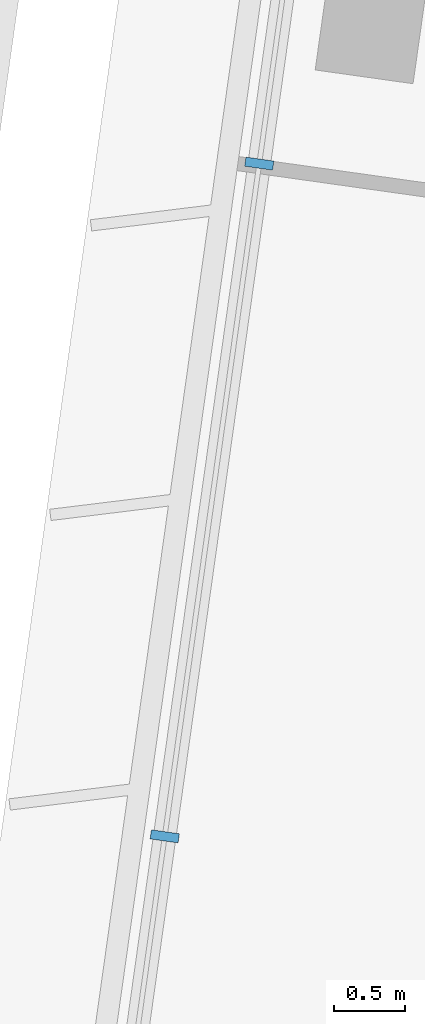
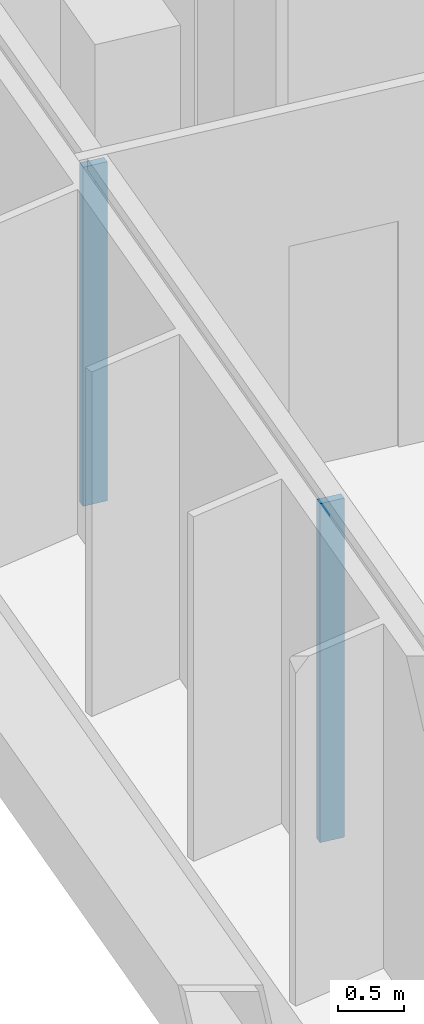
# One storey, part 4 of 46: 2 members, 1 element without a shape of its own.
"""IFC4 building model written with IfcOpenShell, lengths in metres."""

from ifc_helpers import new_model, si_unit, direction, frame, origin, origin_2d, place, context, subcontext, project, spatial, rectangle, extrude, material, material_profile, profile_set, type_object, element, aggregate, save


model = new_model("IFC4")

# Units and contexts
model_context = context("Model", 3, precision=1e-05, world=origin(), true_north=direction((0.0, 1.0)))
body_context = subcontext(model_context, "Body", "Model", "MODEL_VIEW")
ifc_project = project(units=[si_unit("LENGTHUNIT", "METRE"), si_unit("AREAUNIT", "SQUARE_METRE"), si_unit("VOLUMEUNIT", "CUBIC_METRE"), si_unit("PLANEANGLEUNIT", "RADIAN"), si_unit("MASSUNIT", "GRAM", prefix="KILO")], contexts=[model_context])

# Site, building, storey
site_placement = place(None, origin())
site = spatial("IfcSite", under=ifc_project, at=site_placement, CompositionType="ELEMENT")
building_placement = place(site_placement, origin())
building = spatial("IfcBuilding", under=site, at=building_placement, Name="Mirante Cascada Hotel Towers", CompositionType="ELEMENT")
storey_placement = place(building_placement, frame((0.0, 0.0, 39.5)))
storey = spatial("IfcBuildingStorey", under=building, at=storey_placement, Name="L06", CompositionType="ELEMENT", Elevation=39.5)

# Curtain wall, members
ifc_material_1 = material(Name="Aluminium mullion and transom frame with clear laminated glass", Category="aluminium")
curtain_wall_type = type_object("IfcCurtainWallType", Name="End ribbon curtain wall ECW2", PredefinedType="NOTDEFINED", material=ifc_material_1)
curtain_wall_placement = place(storey_placement, origin())
curtain_wall = element("IfcCurtainWall", 1, at=curtain_wall_placement, inside=storey, type_object=curtain_wall_type, Name="Outer end wall T1 L06", PredefinedType="NOTDEFINED")
ifc_material_2 = material(Name="Anodised aluminium extrusion", Category="aluminium")
ifc_material_profile = material_profile(ifc_material_2, rectangle(XDim=0.2, YDim=0.065, at=origin_2d()), Name="ECW2 MULLION 65x200")
ifc_profile_set = profile_set([ifc_material_profile], Name="Anodised aluminium extrusion")
member_type = type_object("IfcMemberType", Name="ECW2 mullion 65x200", PredefinedType="MULLION", material=ifc_profile_set)
member_1_placement = place(storey_placement, frame((-102.4903, -1.532, 0.1), z_axis=(0.0, 0.0, 1.0), x_axis=(-0.9902681, 0.1391731, 0.0)))
member_1 = element("IfcMember", 2, at=member_1_placement, type_object=member_type, Name="ECW2 mullion 2", PredefinedType="MULLION", context=body_context, shape_type="SweptSolid", body=[
    extrude(rectangle(XDim=0.2, YDim=0.065, at=origin_2d()), origin(), (0.0, 0.0, 1.0), 3.15),
])
member_2_placement = place(storey_placement, frame((-101.8205, 3.2338, 0.1), z_axis=(0.0, 0.0, 1.0), x_axis=(-0.9902681, 0.1391731, 0.0)))
member_2 = element("IfcMember", 3, at=member_2_placement, type_object=member_type, Name="ECW2 mullion 3", PredefinedType="MULLION", context=body_context, shape_type="SweptSolid", body=[
    extrude(rectangle(XDim=0.2, YDim=0.065, at=origin_2d()), origin(), (0.0, 0.0, 1.0), 3.15),
])
aggregate(curtain_wall, [member_1, member_2])

save(model, "model.ifc")
